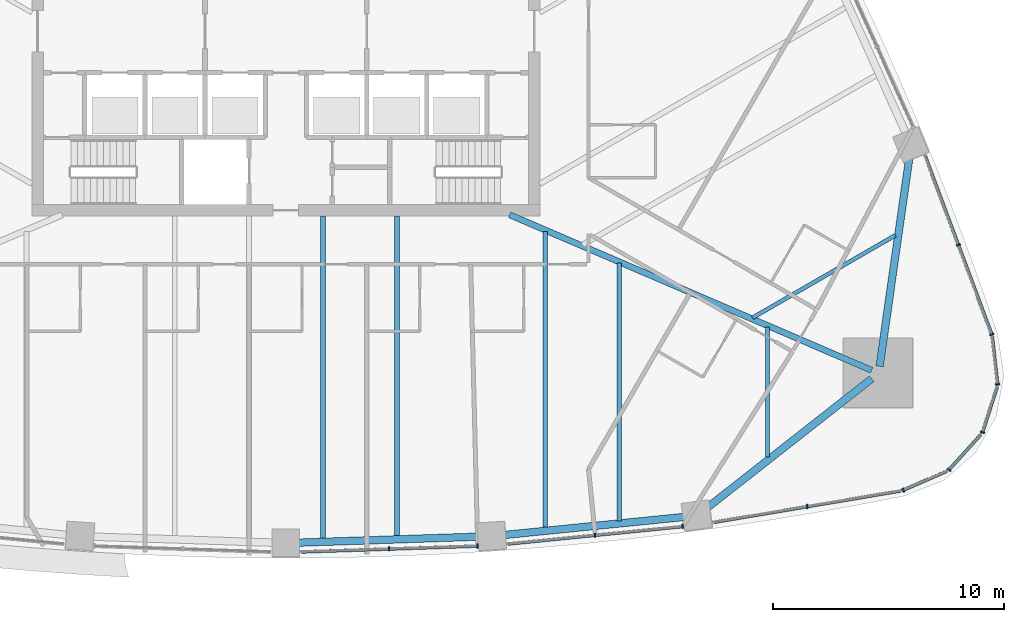
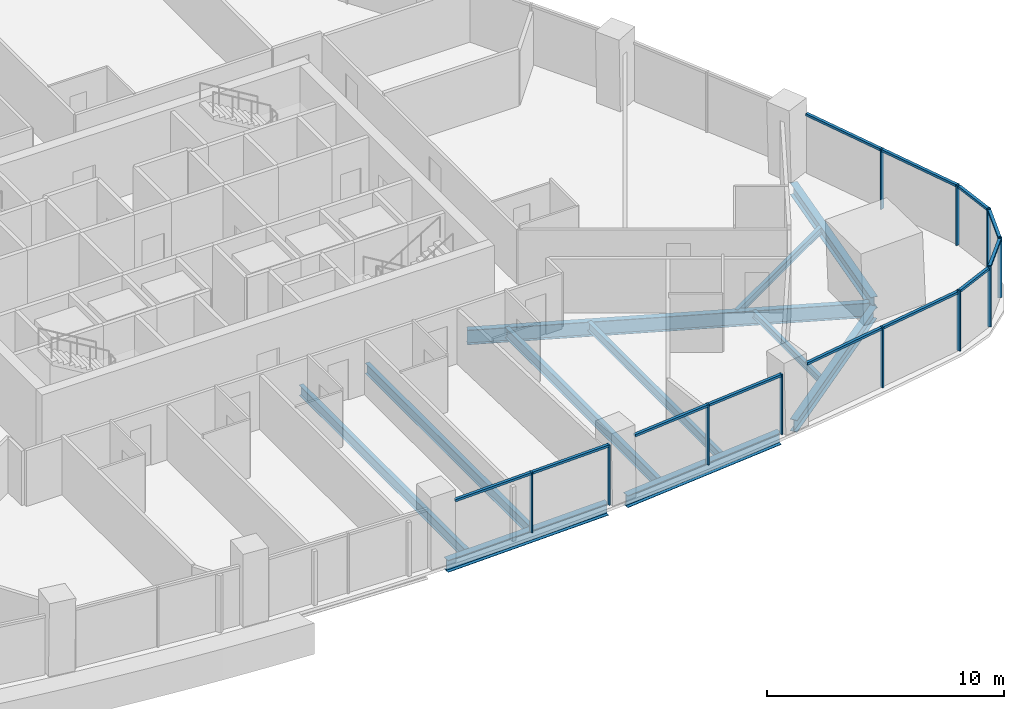
# One storey, part 4 of 17: 23 members, 11 beams, 8 elements without a shape of their own.
"""IFC4 building model written with IfcOpenShell, lengths in metres."""

from ifc_helpers import new_model, si_unit, direction, frame, origin, origin_2d, place, context, subcontext, project, spatial, rectangle, i_section, extrude, material, layer, layer_set, material_profile, profile_set, type_object, element, aggregate, save


model = new_model("IFC4")

# Units and contexts
model_context = context("Model", 3, precision=1e-05, world=origin(), true_north=direction((0.0, 1.0)))
body_context = subcontext(model_context, "Body", "Model", "MODEL_VIEW")
ifc_project = project(units=[si_unit("LENGTHUNIT", "METRE"), si_unit("AREAUNIT", "SQUARE_METRE"), si_unit("VOLUMEUNIT", "CUBIC_METRE"), si_unit("PLANEANGLEUNIT", "RADIAN"), si_unit("MASSUNIT", "GRAM", prefix="KILO")], contexts=[model_context])

# Site, building, storey
site_placement = place(None, origin())
site = spatial("IfcSite", under=ifc_project, at=site_placement, CompositionType="ELEMENT")
building_placement = place(site_placement, origin())
building = spatial("IfcBuilding", under=site, at=building_placement, Name="Sierra Prisma Convention Tower", CompositionType="ELEMENT")
storey_placement = place(building_placement, frame((0.0, 0.0, 99.800048828125)))
storey = spatial("IfcBuildingStorey", under=building, at=storey_placement, Name="L21", CompositionType="ELEMENT", Elevation=99.800048828125)

# Curtain wall, members
ifc_material_1 = material(Name="Aluminium and glass curtain wall", Category="aluminium")
ifc_layer = layer(ifc_material_1, 0.179931640625)
ifc_layer_set = layer_set([ifc_layer], Name="CW-1 Plain shaft curtain wall")
curtain_wall_type = type_object("IfcCurtainWallType", Name="CW-1 Plain shaft curtain wall", PredefinedType="NOTDEFINED", material=ifc_layer_set)
curtain_wall_1_placement = place(storey_placement, origin())
curtain_wall_1 = element("IfcCurtainWall", 1, at=curtain_wall_1_placement, inside=storey, type_object=curtain_wall_type, Name="CW-1 S4 L21", PredefinedType="NOTDEFINED")
ifc_material_2 = material(Name="Aluminium 6063-T6 bronze anodised", Category="aluminium")
ifc_material_profile_1 = material_profile(ifc_material_2, rectangle(XDim=0.179931640625, YDim=0.070068359375, at=origin_2d()), Name="ALU MULLION 70x180")
ifc_profile_set_1 = profile_set([ifc_material_profile_1], Name="Aluminium 6063-T6 bronze anodised")
member_type_1 = type_object("IfcMemberType", Name="CW mullion bronze", PredefinedType="MULLION", material=ifc_profile_set_1)
member_1_placement = place(storey_placement, frame((4.4677734375, -22.41552734375, 0.0), z_axis=(0.0, 0.0, 1.0), x_axis=(-0.0332861099, 0.99944586391, 0.0)))
member_1 = element("IfcMember", 2, at=member_1_placement, type_object=member_type_1, Name="CW-1 mullion S4.2", PredefinedType="MULLION", context=body_context, shape_type="SweptSolid", body=[
    extrude(rectangle(XDim=0.179931640625, YDim=0.070068359375, at=origin_2d()), origin(), (0.0, 0.0, 1.0), 3.099853515625),
])
member_2_placement = place(storey_placement, frame((8.301025390625, -22.287841796875, 0.0), z_axis=(0.0, 0.0, 1.0), x_axis=(-0.0332861099, 0.99944586391, 0.0)))
member_2 = element("IfcMember", 3, at=member_2_placement, type_object=member_type_1, Name="CW-1 mullion S4.3", PredefinedType="MULLION", context=body_context, shape_type="SweptSolid", body=[
    extrude(rectangle(XDim=0.179931640625, YDim=0.070068359375, at=origin_2d()), origin(), (0.0, 0.0, 1.0), 3.099853515625),
])

curtain_wall_2_placement = place(storey_placement, origin())
curtain_wall_2 = element("IfcCurtainWall", 4, at=curtain_wall_2_placement, inside=storey, type_object=curtain_wall_type, Name="CW-1 S5 L21", PredefinedType="NOTDEFINED")
member_3_placement = place(storey_placement, frame((13.38037109375, -21.822021484375, 0.0), z_axis=(0.0, 0.0, 1.0), x_axis=(-0.099710810289, 0.995016459317, 0.0)))
member_3 = element("IfcMember", 5, at=member_3_placement, type_object=member_type_1, Name="CW-1 mullion S5.2", PredefinedType="MULLION", context=body_context, shape_type="SweptSolid", body=[
    extrude(rectangle(XDim=0.179931640625, YDim=0.070068359375, at=origin_2d()), origin(), (0.0, 0.0, 1.0), 3.099853515625),
])
member_4_placement = place(storey_placement, frame((17.180419921875, -21.44140625, 0.0), z_axis=(0.0, 0.0, 1.0), x_axis=(-0.099710810289, 0.995016459317, 0.0)))
member_4 = element("IfcMember", 6, at=member_4_placement, type_object=member_type_1, Name="CW-1 mullion S5.3", PredefinedType="MULLION", context=body_context, shape_type="SweptSolid", body=[
    extrude(rectangle(XDim=0.179931640625, YDim=0.070068359375, at=origin_2d()), origin(), (0.0, 0.0, 1.0), 3.099853515625),
])

# Curtain wall, member
curtain_wall_3_placement = place(storey_placement, origin())
curtain_wall_3 = element("IfcCurtainWall", 7, at=curtain_wall_3_placement, inside=storey, type_object=curtain_wall_type, Name="CW-1 S6 L21", PredefinedType="NOTDEFINED")
member_5_placement = place(storey_placement, frame((22.56787109375, -20.58203125, 0.0), z_axis=(0.0, 0.0, 1.0), x_axis=(-0.165693606281, 0.986177280633, 0.0)))
member_5 = element("IfcMember", 8, at=member_5_placement, type_object=member_type_1, Name="CW-1 mullion S6.2", PredefinedType="MULLION", context=body_context, shape_type="SweptSolid", body=[
    extrude(rectangle(XDim=0.179931640625, YDim=0.070068359375, at=origin_2d()), origin(), (0.0, 0.0, 1.0), 3.099853515625),
])

curtain_wall_4_placement = place(storey_placement, origin())
curtain_wall_4 = element("IfcCurtainWall", 9, at=curtain_wall_4_placement, inside=storey, type_object=curtain_wall_type, Name="CW-1 SE1 L21", PredefinedType="NOTDEFINED")
member_6_placement = place(storey_placement, frame((26.718994140625, -19.8759765625, 0.0), z_axis=(0.0, 0.0, 1.0), x_axis=(-0.400089550724, 0.916476050643, 0.0)))
member_6 = element("IfcMember", 10, at=member_6_placement, type_object=member_type_1, Name="CW-1 mullion SE1.1", PredefinedType="MULLION", context=body_context, shape_type="SweptSolid", body=[
    extrude(rectangle(XDim=0.179931640625, YDim=0.070068359375, at=origin_2d()), origin(), (0.0, 0.0, 1.0), 3.099853515625),
])

curtain_wall_5_placement = place(storey_placement, origin())
curtain_wall_5 = element("IfcCurtainWall", 11, at=curtain_wall_5_placement, inside=storey, type_object=curtain_wall_type, Name="CW-1 SE2 L21", PredefinedType="NOTDEFINED")
member_7_placement = place(storey_placement, frame((28.706298828125, -18.99267578125, 0.0), z_axis=(0.0, 0.0, 1.0), x_axis=(-0.741522356464, 0.670928159242, 0.0)))
member_7 = element("IfcMember", 12, at=member_7_placement, type_object=member_type_1, Name="CW-1 mullion SE2.1", PredefinedType="MULLION", context=body_context, shape_type="SweptSolid", body=[
    extrude(rectangle(XDim=0.179931640625, YDim=0.070068359375, at=origin_2d()), origin(), (0.0, 0.0, 1.0), 3.099853515625),
])

curtain_wall_6_placement = place(storey_placement, origin())
curtain_wall_6 = element("IfcCurtainWall", 13, at=curtain_wall_6_placement, inside=storey, type_object=curtain_wall_type, Name="CW-1 SE3 L21", PredefinedType="NOTDEFINED")
member_8_placement = place(storey_placement, frame((30.15478515625, -17.370361328125, 0.0), z_axis=(0.0, 0.0, 1.0), x_axis=(-0.95180200825, 0.306713118551, 0.0)))
member_8 = element("IfcMember", 14, at=member_8_placement, type_object=member_type_1, Name="CW-1 mullion SE3.1", PredefinedType="MULLION", context=body_context, shape_type="SweptSolid", body=[
    extrude(rectangle(XDim=0.179931640625, YDim=0.070068359375, at=origin_2d()), origin(), (0.0, 0.0, 1.0), 3.099853515625),
])

curtain_wall_7_placement = place(storey_placement, origin())
curtain_wall_7 = element("IfcCurtainWall", 15, at=curtain_wall_7_placement, inside=storey, type_object=curtain_wall_type, Name="CW-1 SE4 L21", PredefinedType="NOTDEFINED")
member_9_placement = place(storey_placement, frame((30.80810546875, -15.2958984375, 0.0), z_axis=(0.0, 0.0, 1.0), x_axis=(-0.993736317178, -0.111750310606, 0.0)))
member_9 = element("IfcMember", 16, at=member_9_placement, type_object=member_type_1, Name="CW-1 mullion SE4.1", PredefinedType="MULLION", context=body_context, shape_type="SweptSolid", body=[
    extrude(rectangle(XDim=0.179931640625, YDim=0.070068359375, at=origin_2d()), origin(), (0.0, 0.0, 1.0), 3.099853515625),
])

# Curtain wall, members
curtain_wall_8_placement = place(storey_placement, origin())
curtain_wall_8 = element("IfcCurtainWall", 17, at=curtain_wall_8_placement, inside=storey, type_object=curtain_wall_type, Name="CW-1 NE1 L21", PredefinedType="NOTDEFINED")
member_10_placement = place(storey_placement, frame((30.556396484375, -13.1337890625, 0.0), z_axis=(0.0, 0.0, 1.0), x_axis=(-0.936901380804, -0.349593768032, 0.0)))
member_10 = element("IfcMember", 18, at=member_10_placement, type_object=member_type_1, Name="CW-1 mullion NE1.1", PredefinedType="MULLION", context=body_context, shape_type="SweptSolid", body=[
    extrude(rectangle(XDim=0.179931640625, YDim=0.070068359375, at=origin_2d()), origin(), (0.0, 0.0, 1.0), 3.099853515625),
])
member_11_placement = place(storey_placement, frame((29.1083984375, -9.25341796875, 0.0), z_axis=(0.0, 0.0, 1.0), x_axis=(-0.936901380804, -0.349593768032, 0.0)))
member_11 = element("IfcMember", 19, at=member_11_placement, type_object=member_type_1, Name="CW-1 mullion NE1.2", PredefinedType="MULLION", context=body_context, shape_type="SweptSolid", body=[
    extrude(rectangle(XDim=0.179931640625, YDim=0.070068359375, at=origin_2d()), origin(), (0.0, 0.0, 1.0), 3.099853515625),
])

# Member
ifc_material_3 = material(Name="Aluminium 6063-T6 bronze anodised", Category="aluminium")
ifc_material_profile_2 = material_profile(ifc_material_3, rectangle(XDim=0.139892578125, YDim=0.1201171875, at=origin_2d()), Name="ALU TRANSOM 120x140")
ifc_profile_set_2 = profile_set([ifc_material_profile_2], Name="Aluminium 6063-T6 bronze anodised")
member_type_2 = type_object("IfcMemberType", Name="CW transom bronze", PredefinedType="USERDEFINED", material=ifc_profile_set_2)
member_12_placement = place(storey_placement, frame((0.669677734375, -22.5419921875, 3.0400390625), z_axis=(0.999446632789, 0.033263015611, 0.0), x_axis=(-0.033263015611, 0.999446632789, 0.0)))
member_12 = element("IfcMember", 20, at=member_12_placement, type_object=member_type_2, Name="CW-1 transom S4.1", ObjectType="TRANSOM", PredefinedType="USERDEFINED", context=body_context, shape_type="SweptSolid", body=[
    extrude(rectangle(XDim=0.139892578125, YDim=0.1201171875, at=origin_2d()), origin(), (0.0, 0.0, 1.0), 3.765380859375),
])

member_13_placement = place(storey_placement, frame((4.502685546875, -22.414306640625, 3.0400390625), z_axis=(0.999446704523, 0.033260860163, 0.0), x_axis=(-0.033260860163, 0.999446704523, 0.0)))
member_13 = element("IfcMember", 21, at=member_13_placement, type_object=member_type_2, Name="CW-1 transom S4.2", ObjectType="TRANSOM", PredefinedType="USERDEFINED", context=body_context, shape_type="SweptSolid", body=[
    extrude(rectangle(XDim=0.139892578125, YDim=0.1201171875, at=origin_2d()), origin(), (0.0, 0.0, 1.0), 3.765625),
])

aggregate(curtain_wall_1, [member_1, member_2, member_12, member_13])

member_14_placement = place(storey_placement, frame((9.614990234375, -22.199462890625, 3.0400390625), z_axis=(0.995017829143, 0.099697139818, 0.0), x_axis=(-0.099697139818, 0.995017829143, 0.0)))
member_14 = element("IfcMember", 22, at=member_14_placement, type_object=member_type_2, Name="CW-1 transom S5.1", ObjectType="TRANSOM", PredefinedType="USERDEFINED", context=body_context, shape_type="SweptSolid", body=[
    extrude(rectangle(XDim=0.139892578125, YDim=0.1201171875, at=origin_2d()), origin(), (0.0, 0.0, 1.0), 3.749267578125),
])

member_15_placement = place(storey_placement, frame((13.415283203125, -21.818603515625, 3.0400390625), z_axis=(0.995017181829, 0.099703600064, 0.0), x_axis=(-0.099703600064, 0.995017181829, 0.0)))
member_15 = element("IfcMember", 23, at=member_15_placement, type_object=member_type_2, Name="CW-1 transom S5.2", ObjectType="TRANSOM", PredefinedType="USERDEFINED", context=body_context, shape_type="SweptSolid", body=[
    extrude(rectangle(XDim=0.139892578125, YDim=0.1201171875, at=origin_2d()), origin(), (0.0, 0.0, 1.0), 3.7490234375),
])

aggregate(curtain_wall_2, [member_3, member_4, member_14, member_15])

member_16_placement = place(storey_placement, frame((18.51806640625, -21.262451171875, 3.0400390625), z_axis=(0.986180806565, 0.165672619234, 0.0), x_axis=(-0.165672619234, 0.986180806565, 0.0)))
member_16 = element("IfcMember", 24, at=member_16_placement, type_object=member_type_2, Name="CW-1 transom S6.1", ObjectType="TRANSOM", PredefinedType="USERDEFINED", context=body_context, shape_type="SweptSolid", body=[
    extrude(rectangle(XDim=0.139892578125, YDim=0.1201171875, at=origin_2d()), origin(), (0.0, 0.0, 1.0), 4.071533203125),
])

member_17_placement = place(storey_placement, frame((22.602294921875, -20.576171875, 3.0400390625), z_axis=(0.986182452197, 0.165662823165, 0.0), x_axis=(-0.165662823165, 0.986182452197, 0.0)))
member_17 = element("IfcMember", 25, at=member_17_placement, type_object=member_type_2, Name="CW-1 transom S6.2", ObjectType="TRANSOM", PredefinedType="USERDEFINED", context=body_context, shape_type="SweptSolid", body=[
    extrude(rectangle(XDim=0.139892578125, YDim=0.1201171875, at=origin_2d()), origin(), (0.0, 0.0, 1.0), 4.07177734375),
])

aggregate(curtain_wall_3, [member_5, member_16, member_17])

member_18_placement = place(storey_placement, frame((26.7509765625, -19.862060546875, 3.0400390625), z_axis=(0.916459516531, 0.400127422904, 0.0), x_axis=(-0.400127422904, 0.916459516531, 0.0)))
member_18 = element("IfcMember", 26, at=member_18_placement, type_object=member_type_2, Name="CW-1 transom SE1.1", ObjectType="TRANSOM", PredefinedType="USERDEFINED", context=body_context, shape_type="SweptSolid", body=[
    extrude(rectangle(XDim=0.139892578125, YDim=0.1201171875, at=origin_2d()), origin(), (0.0, 0.0, 1.0), 2.037841796875),
])

aggregate(curtain_wall_4, [member_6, member_18])

member_19_placement = place(storey_placement, frame((28.729736328125, -18.966796875, 3.0400390625), z_axis=(0.670947826555, 0.741504561038, 0.0), x_axis=(-0.741504561038, 0.670947826555, 0.0)))
member_19 = element("IfcMember", 27, at=member_19_placement, type_object=member_type_2, Name="CW-1 transom SE2.1", ObjectType="TRANSOM", PredefinedType="USERDEFINED", context=body_context, shape_type="SweptSolid", body=[
    extrude(rectangle(XDim=0.139892578125, YDim=0.1201171875, at=origin_2d()), origin(), (0.0, 0.0, 1.0), 2.0380859375),
])

aggregate(curtain_wall_5, [member_7, member_19])

member_20_placement = place(storey_placement, frame((30.16552734375, -17.337158203125, 3.0400390625), z_axis=(0.306687737925, 0.951810186648, 0.0), x_axis=(-0.951810186648, 0.306687737925, 0.0)))
member_20 = element("IfcMember", 28, at=member_20_placement, type_object=member_type_2, Name="CW-1 transom SE3.1", ObjectType="TRANSOM", PredefinedType="USERDEFINED", context=body_context, shape_type="SweptSolid", body=[
    extrude(rectangle(XDim=0.139892578125, YDim=0.1201171875, at=origin_2d()), origin(), (0.0, 0.0, 1.0), 2.037841796875),
])

aggregate(curtain_wall_6, [member_8, member_20])

member_21_placement = place(storey_placement, frame((30.80419921875, -15.26123046875, 3.0400390625), z_axis=(-0.111772591438, 0.993733811341, 0.0), x_axis=(-0.993733811341, -0.111772591438, 0.0)))
member_21 = element("IfcMember", 29, at=member_21_placement, type_object=member_type_2, Name="CW-1 transom SE4.1", ObjectType="TRANSOM", PredefinedType="USERDEFINED", context=body_context, shape_type="SweptSolid", body=[
    extrude(rectangle(XDim=0.139892578125, YDim=0.1201171875, at=origin_2d()), origin(), (0.0, 0.0, 1.0), 2.037841796875),
])

aggregate(curtain_wall_7, [member_9, member_21])

member_22_placement = place(storey_placement, frame((30.544189453125, -13.100830078125, 3.0400390625), z_axis=(-0.349578735995, 0.936906989695, 0.0), x_axis=(-0.936906989695, -0.349578735995, 0.0)))
member_22 = element("IfcMember", 30, at=member_22_placement, type_object=member_type_2, Name="CW-1 transom NE1.1", ObjectType="TRANSOM", PredefinedType="USERDEFINED", context=body_context, shape_type="SweptSolid", body=[
    extrude(rectangle(XDim=0.139892578125, YDim=0.1201171875, at=origin_2d()), origin(), (0.0, 0.0, 1.0), 4.071533203125),
])

member_23_placement = place(storey_placement, frame((29.09619140625, -9.220458984375, 3.0400390625), z_axis=(-0.349578735995, 0.936906989695, 0.0), x_axis=(-0.936906989695, -0.349578735995, 0.0)))
member_23 = element("IfcMember", 31, at=member_23_placement, type_object=member_type_2, Name="CW-1 transom NE1.2", ObjectType="TRANSOM", PredefinedType="USERDEFINED", context=body_context, shape_type="SweptSolid", body=[
    extrude(rectangle(XDim=0.139892578125, YDim=0.1201171875, at=origin_2d()), origin(), (0.0, 0.0, 1.0), 4.071533203125),
])

aggregate(curtain_wall_8, [member_10, member_11, member_22, member_23])

# Beams
ifc_material_4 = material(Name="Steel ASTM A992 Gr 50", Category="steel")
ifc_material_profile_3 = material_profile(ifc_material_4, i_section(OverallWidth=0.172119140625, OverallDepth=0.35791015625, WebThickness=0.0078125, FlangeThickness=0.01318359375, at=origin_2d()), Name="W360x57")
ifc_profile_set_3 = profile_set([ifc_material_profile_3], Name="Steel ASTM A992 Gr 50")
beam_type_1 = type_object("IfcBeamType", Name="Floor joist W360x57", PredefinedType="JOIST", material=ifc_profile_set_3)
beam_1_placement = place(storey_placement, frame((20.84814453125, -18.432373046875, -0.3291015625), z_axis=(0.0, 1.0, 0.0), x_axis=(-1.0, 0.0, 0.0)))
element("IfcBeam", 32, at=beam_1_placement, inside=storey, type_object=beam_type_1, Name="Floor joist L21 S15", PredefinedType="JOIST", context=body_context, shape_type="SweptSolid", body=[
    extrude(i_section(OverallWidth=0.172119140625, OverallDepth=0.35791015625, WebThickness=0.0078125, FlangeThickness=0.01318359375, at=origin_2d()), origin(), (0.0, 0.0, 1.0), 5.62744140625),
])
beam_2_placement = place(storey_placement, frame((26.386962890625, -8.8388671875, -0.3291015625), z_axis=(-0.86602851899, -0.499994604267, 0.0), x_axis=(0.499994604267, -0.86602851899, 0.0)))
element("IfcBeam", 33, at=beam_2_placement, inside=storey, type_object=beam_type_1, Name="Floor joist L21 NE02", PredefinedType="JOIST", context=body_context, shape_type="SweptSolid", body=[
    extrude(i_section(OverallWidth=0.172119140625, OverallDepth=0.35791015625, WebThickness=0.0078125, FlangeThickness=0.01318359375, at=origin_2d()), origin(), (0.0, 0.0, 1.0), 7.14404296875),
])
ifc_material_5 = material(Name="Steel ASTM A992 Gr 50", Category="steel")
ifc_material_profile_4 = material_profile(ifc_material_5, i_section(OverallWidth=0.18994140625, OverallDepth=0.45703125, WebThickness=0.009033203125, FlangeThickness=0.014404296875, at=origin_2d()), Name="W460x74")
ifc_profile_set_4 = profile_set([ifc_material_profile_4], Name="Steel ASTM A992 Gr 50")
beam_type_2 = type_object("IfcBeamType", Name="Floor joist W460x74", PredefinedType="JOIST", material=ifc_profile_set_4)
beam_3_placement = place(storey_placement, frame((14.433349609375, -21.201416015625, -0.378662109375), z_axis=(0.0, 1.0, 0.0), x_axis=(-1.0, 0.0, 0.0)))
element("IfcBeam", 34, at=beam_3_placement, inside=storey, type_object=beam_type_2, Name="Floor joist L21 S13", PredefinedType="JOIST", context=body_context, shape_type="SweptSolid", body=[
    extrude(i_section(OverallWidth=0.18994140625, OverallDepth=0.45703125, WebThickness=0.009033203125, FlangeThickness=0.014404296875, at=origin_2d()), origin(), (0.0, 0.0, 1.0), 11.15283203125),
])
ifc_material_6 = material(Name="Steel ASTM A992 Gr 50", Category="steel")
ifc_material_profile_5 = material_profile(ifc_material_6, i_section(OverallWidth=0.208984375, OverallDepth=0.532958984375, WebThickness=0.01025390625, FlangeThickness=0.015625, at=origin_2d()), Name="W530x92")
ifc_profile_set_5 = profile_set([ifc_material_profile_5], Name="Steel ASTM A992 Gr 50")
beam_type_3 = type_object("IfcBeamType", Name="Floor joist W530x92", PredefinedType="JOIST", material=ifc_profile_set_5)
beam_4_placement = place(storey_placement, frame((1.603759765625, -21.998291015625, -0.41650390625), z_axis=(0.0, 1.0, 0.0), x_axis=(-1.0, 0.0, 0.0)))
element("IfcBeam", 35, at=beam_4_placement, inside=storey, type_object=beam_type_3, Name="Floor joist L21 S09", PredefinedType="JOIST", context=body_context, shape_type="SweptSolid", body=[
    extrude(i_section(OverallWidth=0.208984375, OverallDepth=0.532958984375, WebThickness=0.01025390625, FlangeThickness=0.015625, at=origin_2d()), origin(), (0.0, 0.0, 1.0), 13.998291015625),
])
beam_5_placement = place(storey_placement, frame((4.81103515625, -21.891357421875, -0.41650390625), z_axis=(0.0, 1.0, 0.0), x_axis=(-1.0, 0.0, 0.0)))
element("IfcBeam", 36, at=beam_5_placement, inside=storey, type_object=beam_type_3, Name="Floor joist L21 S10", PredefinedType="JOIST", context=body_context, shape_type="SweptSolid", body=[
    extrude(i_section(OverallWidth=0.208984375, OverallDepth=0.532958984375, WebThickness=0.01025390625, FlangeThickness=0.015625, at=origin_2d()), origin(), (0.0, 0.0, 1.0), 13.891357421875),
])
beam_6_placement = place(storey_placement, frame((11.225830078125, -21.52294921875, -0.41650390625), z_axis=(0.0, 1.0, 0.0), x_axis=(-1.0, 0.0, 0.0)))
element("IfcBeam", 37, at=beam_6_placement, inside=storey, type_object=beam_type_3, Name="Floor joist L21 S12", PredefinedType="JOIST", context=body_context, shape_type="SweptSolid", body=[
    extrude(i_section(OverallWidth=0.208984375, OverallDepth=0.532958984375, WebThickness=0.01025390625, FlangeThickness=0.015625, at=origin_2d()), origin(), (0.0, 0.0, 1.0), 12.8525390625),
])
ifc_material_7 = material(Name="Steel ASTM A992 Gr 50", Category="steel")
ifc_material_profile_6 = material_profile(ifc_material_7, i_section(OverallWidth=0.264892578125, OverallDepth=0.7529296875, WebThickness=0.01318359375, FlangeThickness=0.01708984375, at=origin_2d()), Name="W760x147")
ifc_profile_set_6 = profile_set([ifc_material_profile_6], Name="Steel ASTM A992 Gr 50")
beam_type_4 = type_object("IfcBeamType", Name="Radial girder W760x147", PredefinedType="BEAM", material=ifc_profile_set_6)
beam_7_placement = place(storey_placement, frame((25.359375, -14.685546875, -0.526611328125), z_axis=(-0.91877663593, 0.39477777707, 0.0), x_axis=(-0.39477777707, -0.91877663593, 0.0)))
element("IfcBeam", 38, at=beam_7_placement, inside=storey, type_object=beam_type_4, Name="Radial girder L21 SE", PredefinedType="BEAM", context=body_context, shape_type="SweptSolid", body=[
    extrude(i_section(OverallWidth=0.264892578125, OverallDepth=0.7529296875, WebThickness=0.01318359375, FlangeThickness=0.01708984375, at=origin_2d()), origin(), (0.0, 0.0, 1.0), 17.054931640625),
])
ifc_material_8 = material(Name="Steel ASTM A992 Gr 50", Category="steel")
ifc_material_profile_7 = material_profile(ifc_material_8, i_section(OverallWidth=0.324951171875, OverallDepth=0.615966796875, WebThickness=0.013916015625, FlangeThickness=0.021484375, at=origin_2d()), Name="W610x174")
ifc_profile_set_7 = profile_set([ifc_material_profile_7], Name="Steel ASTM A992 Gr 50")
beam_type_5 = type_object("IfcBeamType", Name="Spandrel beam W610x174", PredefinedType="BEAM", material=ifc_profile_set_7)
beam_8_placement = place(storey_placement, frame((0.47998046875, -22.148193359375, -0.4580078125), z_axis=(0.999445960943, 0.033283196271, 0.0), x_axis=(-0.033283196271, 0.999445960943, 0.0)))
element("IfcBeam", 39, at=beam_8_placement, inside=storey, type_object=beam_type_5, Name="Spandrel L21-04", PredefinedType="BEAM", context=body_context, shape_type="SweptSolid", body=[
    extrude(i_section(OverallWidth=0.324951171875, OverallDepth=0.615966796875, WebThickness=0.013916015625, FlangeThickness=0.021484375, at=origin_2d()), origin(), (0.0, 0.0, 1.0), 7.966064453125),
])
beam_9_placement = place(storey_placement, frame((9.399658203125, -21.819091796875, -0.4580078125), z_axis=(0.995018055365, 0.099694882006, 0.0), x_axis=(-0.099694882006, 0.995018055365, 0.0)))
element("IfcBeam", 40, at=beam_9_placement, inside=storey, type_object=beam_type_5, Name="Spandrel L21-05", PredefinedType="BEAM", context=body_context, shape_type="SweptSolid", body=[
    extrude(i_section(OverallWidth=0.324951171875, OverallDepth=0.615966796875, WebThickness=0.013916015625, FlangeThickness=0.021484375, at=origin_2d()), origin(), (0.0, 0.0, 1.0), 7.96630859375),
])
beam_10_placement = place(storey_placement, frame((18.257568359375, -20.621337890625, -0.4580078125), z_axis=(0.786773318842, 0.617242047141, 0.0), x_axis=(-0.617242047141, 0.786773318842, 0.0)))
element("IfcBeam", 41, at=beam_10_placement, inside=storey, type_object=beam_type_5, Name="Spandrel L21-06", PredefinedType="BEAM", context=body_context, shape_type="SweptSolid", body=[
    extrude(i_section(OverallWidth=0.324951171875, OverallDepth=0.615966796875, WebThickness=0.013916015625, FlangeThickness=0.021484375, at=origin_2d()), origin(), (0.0, 0.0, 1.0), 9.026611328125),
])
beam_11_placement = place(storey_placement, frame((25.7021484375, -14.514404296875, -0.4580078125), z_axis=(0.141151061699, 0.989988069515, 0.0), x_axis=(-0.989988069515, 0.141151061699, 0.0)))
element("IfcBeam", 42, at=beam_11_placement, inside=storey, type_object=beam_type_5, Name="Spandrel L21-07", PredefinedType="BEAM", context=body_context, shape_type="SweptSolid", body=[
    extrude(i_section(OverallWidth=0.324951171875, OverallDepth=0.615966796875, WebThickness=0.013916015625, FlangeThickness=0.021484375, at=origin_2d()), origin(), (0.0, 0.0, 1.0), 9.104736328125),
])

save(model, "model.ifc")
